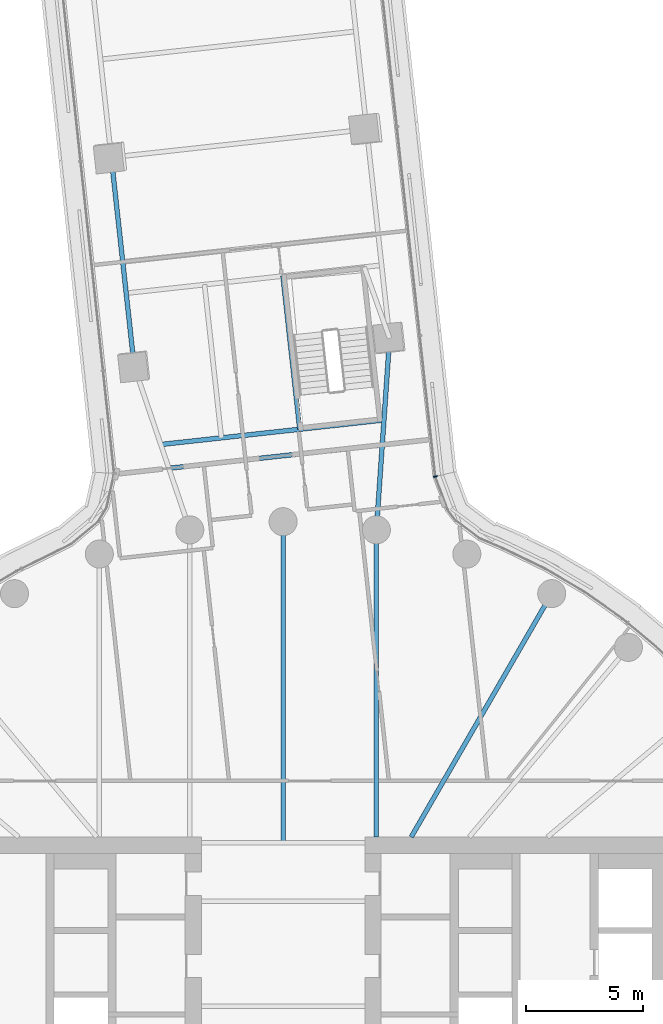
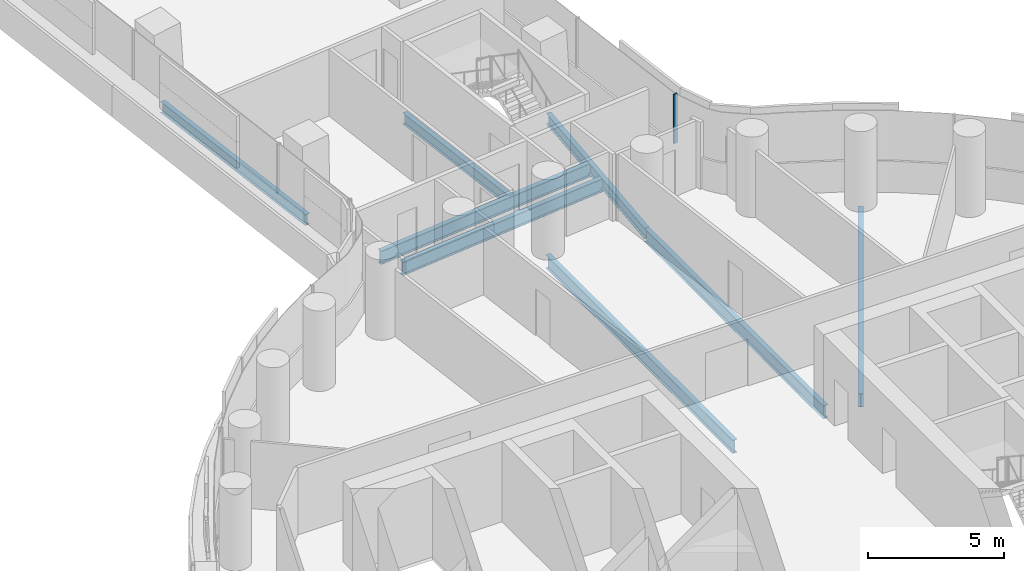
# One storey, part 14 of 31: 8 beams, 1 member, 1 element without a shape of its own.
"""IFC4 building model written with IfcOpenShell, lengths in metres."""

from ifc_helpers import new_model, si_unit, direction, frame, origin, origin_2d, place, context, subcontext, project, spatial, rectangle, i_section, extrude, material, layer, layer_set, material_profile, profile_set, type_object, element, aggregate, save


model = new_model("IFC4")

# Units and contexts
model_context = context("Model", 3, precision=1e-05, world=origin(), true_north=direction((0.0, 1.0)))
body_context = subcontext(model_context, "Body", "Model", "MODEL_VIEW")
ifc_project = project(units=[si_unit("LENGTHUNIT", "METRE"), si_unit("AREAUNIT", "SQUARE_METRE"), si_unit("VOLUMEUNIT", "CUBIC_METRE"), si_unit("PLANEANGLEUNIT", "RADIAN"), si_unit("MASSUNIT", "GRAM", prefix="KILO")], contexts=[model_context])

# Site, building, storey
site_placement = place(None, origin())
site = spatial("IfcSite", under=ifc_project, at=site_placement, CompositionType="ELEMENT")
building_placement = place(site_placement, origin())
building = spatial("IfcBuilding", under=site, at=building_placement, Name="Tamarind Cross Interchange Tower", CompositionType="ELEMENT")
storey_placement = place(building_placement, frame((0.0, 0.0, 56.5)))
storey = spatial("IfcBuildingStorey", under=building, at=storey_placement, Name="L12", CompositionType="ELEMENT", Elevation=56.5)

# Beams
ifc_material_1 = material(Name="Steel Q355B", Category="steel")
ifc_material_profile_1 = material_profile(ifc_material_1, i_section(OverallWidth=0.198974609375, OverallDepth=0.49609375, WebThickness=0.009033203125, FlangeThickness=0.013916015625, FilletRadius=0.012939453125, at=origin_2d()), Name="HN 496x199x9x14")
ifc_profile_set_1 = profile_set([ifc_material_profile_1], Name="Steel Q355B")
beam_type_1 = type_object("IfcBeamType", Name="Composite beam HN 496x199x9x14 Q355B", PredefinedType="BEAM", material=ifc_profile_set_1)
beam_1_placement = place(storey_placement, frame((-7.356201171875, 38.595947265625, -0.387939453125), z_axis=(0.109186897432, -0.994021237917, 0.0), x_axis=(0.994021237917, 0.109186897432, 0.0)))
element("IfcBeam", 1, at=beam_1_placement, inside=storey, type_object=beam_type_1, Name="Beam N-edgeep3", PredefinedType="BEAM", context=body_context, shape_type="SweptSolid", body=[
    extrude(i_section(OverallWidth=0.198974609375, OverallDepth=0.49609375, WebThickness=0.009033203125, FlangeThickness=0.013916015625, FilletRadius=0.012939453125, at=origin_2d()), origin(), (0.0, 0.0, 1.0), 8.999755859375),
])
beam_2_placement = place(storey_placement, frame((4.560791015625, 30.850830078125, -0.387939453125), z_axis=(-0.068967224801, -0.997618926195, 0.0), x_axis=(0.997618926195, -0.068967224801, 0.0)))
element("IfcBeam", 2, at=beam_2_placement, inside=storey, type_object=beam_type_1, Name="Beam N-linkem", PredefinedType="BEAM", context=body_context, shape_type="SweptSolid", body=[
    extrude(i_section(OverallWidth=0.198974609375, OverallDepth=0.49609375, WebThickness=0.009033203125, FlangeThickness=0.013916015625, FilletRadius=0.012939453125, at=origin_2d()), origin(), (0.0, 0.0, 1.0), 8.2197265625),
])
beam_3_placement = place(storey_placement, frame((0.712890625, 26.95751953125, -0.387939453125), z_axis=(-0.109197207173, 0.994020105403, 0.0), x_axis=(-0.994020105403, -0.109197207173, 0.0)))
element("IfcBeam", 3, at=beam_3_placement, inside=storey, type_object=beam_type_1, Name="Beam N-tr1", PredefinedType="BEAM", context=body_context, shape_type="SweptSolid", body=[
    extrude(i_section(OverallWidth=0.198974609375, OverallDepth=0.49609375, WebThickness=0.009033203125, FlangeThickness=0.013916015625, FilletRadius=0.012939453125, at=origin_2d()), origin(), (0.0, 0.0, 1.0), 6.60009765625),
])
ifc_material_profile_2 = material_profile(ifc_material_1, i_section(OverallWidth=0.198974609375, OverallDepth=0.595947265625, WebThickness=0.010009765625, FlangeThickness=0.014892578125, FilletRadius=0.012939453125, at=origin_2d()), Name="HN 596x199x10x15")
ifc_profile_set_2 = profile_set([ifc_material_profile_2], Name="Steel Q355B")
beam_type_2 = type_object("IfcBeamType", Name="Composite beam HN 596x199x10x15 Q355B", PredefinedType="BEAM", material=ifc_profile_set_2)
beam_4_placement = place(storey_placement, frame((11.5, 19.918701171875, -0.43798828125), z_axis=(-0.499993565836, -0.866029118519, 0.0), x_axis=(0.866029118519, -0.499993565836, 0.0)))
element("IfcBeam", 4, at=beam_4_placement, inside=storey, type_object=beam_type_2, Name="Beam HH06", PredefinedType="BEAM", context=body_context, shape_type="SweptSolid", body=[
    extrude(i_section(OverallWidth=0.198974609375, OverallDepth=0.595947265625, WebThickness=0.010009765625, FlangeThickness=0.014892578125, FilletRadius=0.012939453125, at=origin_2d()), origin(), (0.0, 0.0, 1.0), 12.030517578125),
])
beam_5_placement = place(storey_placement, frame((3.993896484375, 22.650634765625, -0.43798828125), z_axis=(0.0, -1.0, 0.0), x_axis=(1.0, 0.0, 0.0)))
element("IfcBeam", 5, at=beam_5_placement, inside=storey, type_object=beam_type_2, Name="Beam HH08", PredefinedType="BEAM", context=body_context, shape_type="SweptSolid", body=[
    extrude(i_section(OverallWidth=0.198974609375, OverallDepth=0.595947265625, WebThickness=0.010009765625, FlangeThickness=0.014892578125, FilletRadius=0.012939453125, at=origin_2d()), origin(), (0.0, 0.0, 1.0), 13.150634765625),
])
beam_6_placement = place(storey_placement, frame((0.0, 23.0, -0.43798828125), z_axis=(0.0, -1.0, 0.0), x_axis=(1.0, 0.0, 0.0)))
element("IfcBeam", 6, at=beam_6_placement, inside=storey, type_object=beam_type_2, Name="Beam HH09", PredefinedType="BEAM", context=body_context, shape_type="SweptSolid", body=[
    extrude(i_section(OverallWidth=0.198974609375, OverallDepth=0.595947265625, WebThickness=0.010009765625, FlangeThickness=0.014892578125, FilletRadius=0.012939453125, at=origin_2d()), origin(), (0.0, 0.0, 1.0), 13.75),
])
ifc_material_profile_3 = material_profile(ifc_material_1, i_section(OverallWidth=0.199951171875, OverallDepth=0.60009765625, WebThickness=0.010986328125, FlangeThickness=0.01708984375, FilletRadius=0.012939453125, at=origin_2d()), Name="HN 600x200x11x17")
ifc_profile_set_3 = profile_set([ifc_material_profile_3], Name="Steel Q355B")
beam_type_3 = type_object("IfcBeamType", Name="Composite beam HN 600x200x11x17 Q355B", PredefinedType="BEAM", material=ifc_profile_set_3)
beam_7_placement = place(storey_placement, frame((4.319091796875, 27.353515625, -0.43994140625), z_axis=(-0.994021100097, -0.109188152115, 0.0), x_axis=(0.109188152115, -0.994021100097, 0.0)))
element("IfcBeam", 7, at=beam_7_placement, inside=storey, type_object=beam_type_3, Name="Beam N-x268", PredefinedType="BEAM", context=body_context, shape_type="SweptSolid", body=[
    extrude(i_section(OverallWidth=0.199951171875, OverallDepth=0.60009765625, WebThickness=0.010986328125, FlangeThickness=0.01708984375, FilletRadius=0.012939453125, at=origin_2d()), origin(), (0.0, 0.0, 1.0), 9.6123046875),
])
beam_8_placement = place(storey_placement, frame((4.245361328125, 26.289306640625, -0.43994140625), z_axis=(-0.994018408958, -0.109212648775, 0.0), x_axis=(0.109212648775, -0.994018408958, 0.0)))
element("IfcBeam", 8, at=beam_8_placement, inside=storey, type_object=beam_type_3, Name="Beam N-x258", PredefinedType="BEAM", context=body_context, shape_type="SweptSolid", body=[
    extrude(i_section(OverallWidth=0.199951171875, OverallDepth=0.60009765625, WebThickness=0.010986328125, FlangeThickness=0.01708984375, FilletRadius=0.012939453125, at=origin_2d()), origin(), (0.0, 0.0, 1.0), 9.18994140625),
])

# Curtain wall, member
ifc_material_2 = material(Name="Aluminium 6063-T6", Category="aluminium")
ifc_layer = layer(ifc_material_2, 0.159912109375)
ifc_layer_set = layer_set([ifc_layer], Name="Aluminium 6063-T6")
curtain_wall_type = type_object("IfcCurtainWallType", Name="Office curtain wall, 9.0 m bays", PredefinedType="NOTDEFINED", material=ifc_layer_set)
curtain_wall_placement = place(storey_placement, origin())
curtain_wall = element("IfcCurtainWall", 9, at=curtain_wall_placement, inside=storey, type_object=curtain_wall_type, Name="CWS-L12-03", PredefinedType="NOTDEFINED")
ifc_material_profile_4 = material_profile(ifc_material_2, rectangle(XDim=0.06005859375, YDim=0.159912109375, at=origin_2d()), Name="Mullion CW1")
ifc_profile_set_4 = profile_set([ifc_material_profile_4], Name="Aluminium 6063-T6")
member_type = type_object("IfcMemberType", Name="Mullion CW1", PredefinedType="MULLION", material=ifc_profile_set_4)
member_placement = place(storey_placement, frame((6.518798828125, 24.9326171875, 1.39990234375), z_axis=(0.0, 0.0, 1.0), x_axis=(-0.231010249193, 0.972951316751, 0.0)))
member = element("IfcMember", 10, at=member_placement, type_object=member_type, Name="CWM-L12-03-00", PredefinedType="MULLION", context=body_context, shape_type="SweptSolid", body=[
    extrude(rectangle(XDim=0.06005859375, YDim=0.159912109375, at=origin_2d()), origin(), (0.0, 0.0, 1.0), 2.210205078125),
])
aggregate(curtain_wall, [member])

save(model, "model.ifc")
